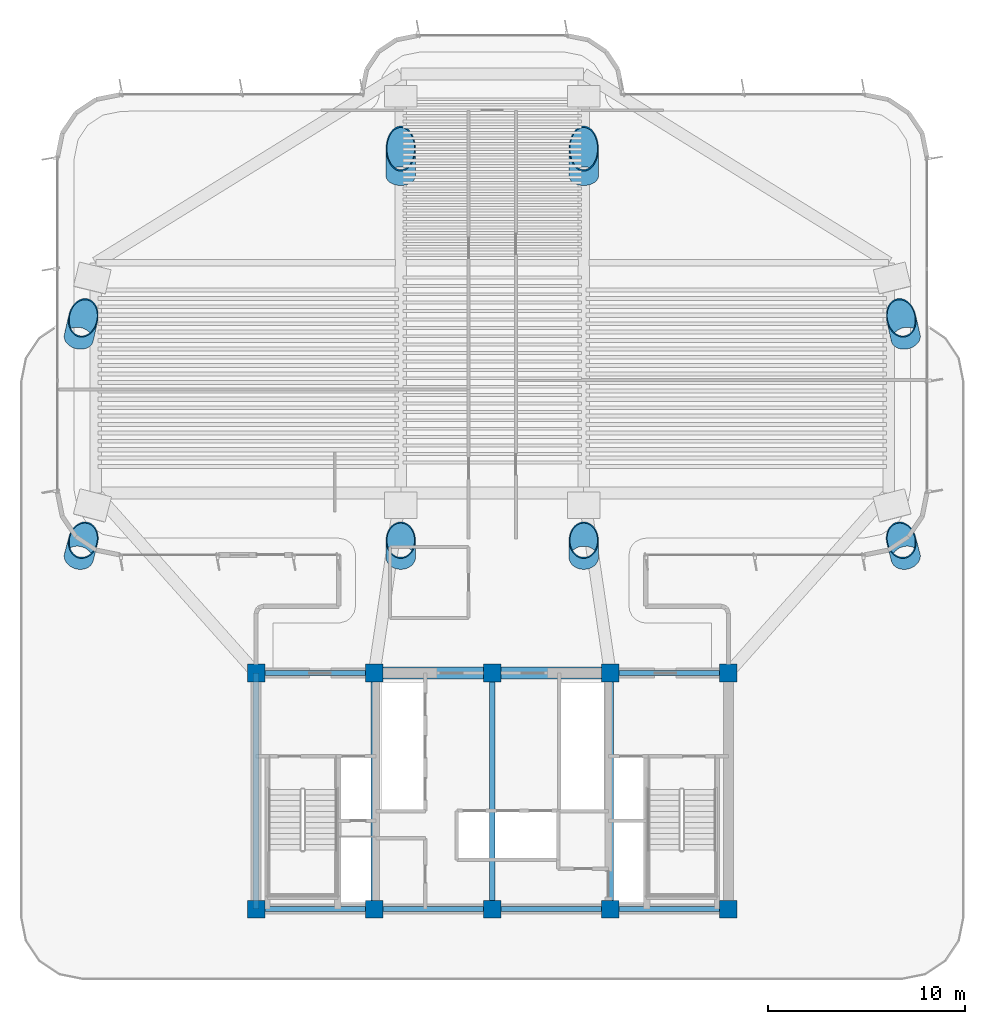
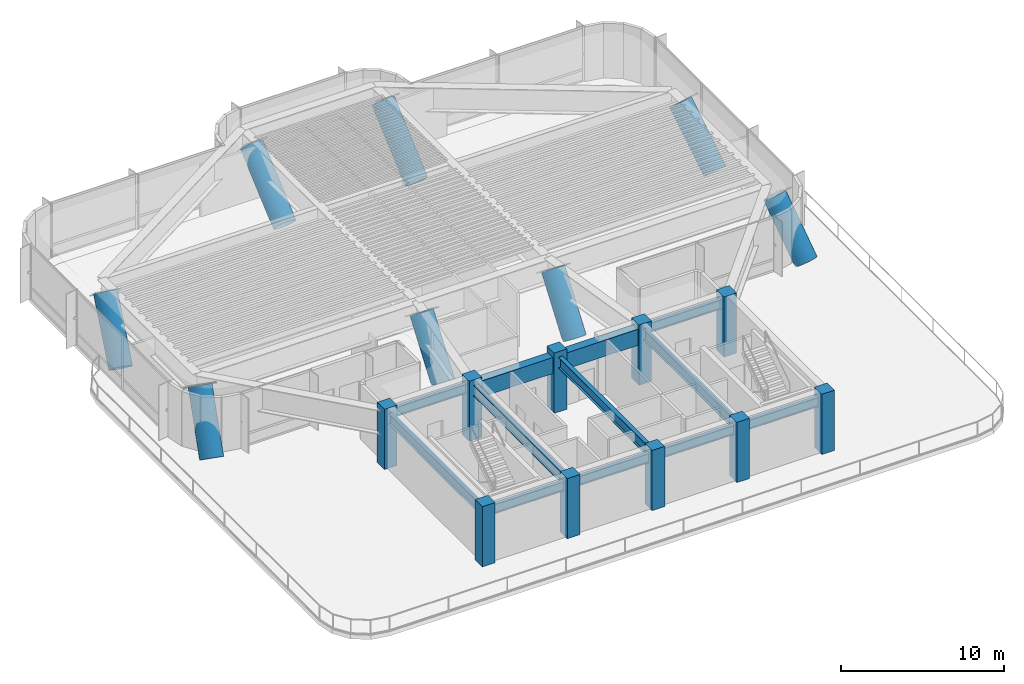
# One storey, part 1 of 14: 18 columns, 11 beams.
"""IFC4 building model written with IfcOpenShell, lengths in metres."""

from ifc_helpers import new_model, si_unit, direction, frame, origin, origin_2d, place, context, subcontext, project, spatial, rectangle, hollow_circle, i_section, extrude, source, transform, mapped, material, material_profile, profile_set, type_object, element, save


model = new_model("IFC4")

# Units and contexts
model_context = context("Model", 3, precision=1e-05, world=origin(), true_north=direction((0.0, 1.0)))
body_context = subcontext(model_context, "Body", "Model", "MODEL_VIEW")
ifc_project = project(units=[si_unit("LENGTHUNIT", "METRE"), si_unit("AREAUNIT", "SQUARE_METRE"), si_unit("VOLUMEUNIT", "CUBIC_METRE"), si_unit("PLANEANGLEUNIT", "RADIAN"), si_unit("MASSUNIT", "GRAM", prefix="KILO")], contexts=[model_context])

# Site, building, storey
site_placement = place(None, origin())
site = spatial("IfcSite", under=ifc_project, at=site_placement, CompositionType="ELEMENT")
building_placement = place(site_placement, origin())
building = spatial("IfcBuilding", under=site, at=building_placement, Name="Brelvock Crest Care Tower", CompositionType="ELEMENT")
storey_placement = place(building_placement, frame((0.0, 0.0, 85.320068359375)))
storey = spatial("IfcBuildingStorey", under=building, at=storey_placement, Name="L21", CompositionType="ELEMENT", Elevation=85.320068359375)

# Columns
ifc_material_1 = material(Name="Concrete S80 (80 MPa)", Category="concrete")
ifc_material_profile_1 = material_profile(ifc_material_1, rectangle(XDim=0.89990234375, YDim=0.89990234375, at=origin_2d()), Name="RC900x900")
ifc_profile_set_1 = profile_set([ifc_material_profile_1], Name="Concrete S80 (80 MPa)")
column_type_1 = type_object("IfcColumnType", Name="COL-RC2", PredefinedType="COLUMN", material=ifc_profile_set_1)
shared_shape_1 = source(origin(), body_context, "Body", "SweptSolid", [
    extrude(rectangle(XDim=0.89990234375, YDim=0.89990234375, at=origin_2d()), origin(), (0.0, 0.0, 1.0), 4.5),
])
for number, where, z_axis, x_axis, name in (
    (1, (24.0, 6.0, 0.0), (0.0, 0.0, 1.0), (1.0, 0.0, 0.0), "L21 Core Column CC-01"),
    (2, (30.0, 6.0, 0.0), (0.0, 0.0, 1.0), (1.0, 0.0, 0.0), "L21 Core Column CC-02"),
    (3, (36.0, 6.0, 0.0), (0.0, 0.0, 1.0), (1.0, 0.0, 0.0), "L21 Core Column CC-03"),
    (4, (42.0, 6.0, 0.0), (0.0, 0.0, 1.0), (1.0, 0.0, 0.0), "L21 Core Column CC-04"),
    (5, (48.0, 6.0, 0.0), (0.0, 0.0, 1.0), (1.0, 0.0, 0.0), "L21 Core Column CC-05"),
    (6, (24.0, 18.0, 0.0), (0.0, 0.0, 1.0), (1.0, 0.0, 0.0), "L21 Core Column CC-06"),
    (7, (30.0, 18.0, 0.0), (0.0, 0.0, 1.0), (1.0, 0.0, 0.0), "L21 Core Column CC-07"),
    (8, (36.0, 18.0, 0.0), (0.0, 0.0, 1.0), (1.0, 0.0, 0.0), "L21 Core Column CC-08"),
    (9, (42.0, 18.0, 0.0), (0.0, 0.0, 1.0), (1.0, 0.0, 0.0), "L21 Core Column CC-09"),
    (10, (48.0, 18.0, 0.0), (0.0, 0.0, 1.0), (1.0, 0.0, 0.0), "L21 Core Column CC-10"),
):
    element("IfcColumn", number, at=place(storey_placement, frame(where, z_axis=z_axis, x_axis=x_axis)), inside=storey, type_object=column_type_1, Name=name, PredefinedType="COLUMN", context=body_context, shape_type="MappedRepresentation", body=[
        mapped(shared_shape_1, transform((0.0, 0.0, 0.0), x_axis=(1.0, 0.0, 0.0), y_axis=(0.0, 1.0, 0.0), z_axis=(0.0, 0.0, 1.0), scale=1.0)),
    ])
ifc_material_2 = material(Name="Steel Grade 350", Category="steel")
ifc_material_profile_2 = material_profile(ifc_material_2, hollow_circle(Radius=0.75, WallThickness=0.050048828125, at=origin_2d()), Name="CFT1500x50")
ifc_profile_set_2 = profile_set([ifc_material_profile_2], Name="Steel Grade 350")
column_type_2 = type_object("IfcColumnType", Name="COL-MC1", PredefinedType="COLUMN", material=ifc_profile_set_2)
shared_shape_2 = source(origin(), body_context, "Body", "SweptSolid", [
    extrude(hollow_circle(Radius=0.75, WallThickness=0.050048828125, at=origin_2d()), origin(), (0.0, 0.0, 1.0), 4.532470703125),
])
for number, where, z_axis, x_axis, name in (
    (11, (14.986328125, 23.877197265625, 0.0), (0.153353359402, 0.581256094592, 0.799139599607), (-0.966914173201, 0.255101904467, 0.0), "L21 Raked Mega-Column M1"),
    (12, (57.013671875, 23.877197265625, 0.0), (-0.153353359402, 0.581256094592, 0.799139599607), (-0.966914173201, -0.255101904467, 0.0), "L21 Raked Mega-Column M3"),
):
    element("IfcColumn", number, at=place(storey_placement, frame(where, z_axis=z_axis, x_axis=x_axis)), inside=storey, type_object=column_type_2, Name=name, PredefinedType="COLUMN", context=body_context, shape_type="MappedRepresentation", body=[
        mapped(shared_shape_2, transform((0.0, 0.0, 0.0), x_axis=(1.0, 0.0, 0.0), y_axis=(0.0, 1.0, 0.0), z_axis=(0.0, 0.0, 1.0), scale=1.0)),
    ])
shared_shape_3 = source(origin(), body_context, "Body", "SweptSolid", [
    extrude(hollow_circle(Radius=0.75, WallThickness=0.050048828125, at=origin_2d()), origin(), (0.0, 0.0, 1.0), 4.74609375),
])
for number, where, z_axis, x_axis, name in (
    (13, (14.986328125, 35.03173828125, 0.0), (0.144802699262, 0.640166817875, 0.754465786884), (-0.975359457824, 0.220621685317, 0.0), "L21 Raked Mega-Column M2"),
    (14, (57.013671875, 35.03173828125, 0.0), (-0.144802699262, 0.640166817875, 0.754465786884), (-0.975359457824, -0.220621685317, 0.0), "L21 Raked Mega-Column M4"),
):
    element("IfcColumn", number, at=place(storey_placement, frame(where, z_axis=z_axis, x_axis=x_axis)), inside=storey, type_object=column_type_2, Name=name, PredefinedType="COLUMN", context=body_context, shape_type="MappedRepresentation", body=[
        mapped(shared_shape_3, transform((0.0, 0.0, 0.0), x_axis=(1.0, 0.0, 0.0), y_axis=(0.0, 1.0, 0.0), z_axis=(0.0, 0.0, 1.0), scale=1.0)),
    ])
shared_shape_4 = source(origin(), body_context, "Body", "SweptSolid", [
    extrude(hollow_circle(Radius=0.75, WallThickness=0.050048828125, at=origin_2d()), origin(), (0.0, 0.0, 1.0), 4.490966796875),
])
for number, where, z_axis, x_axis, name in (
    (15, (31.35009765625, 23.877197265625, 0.0), (0.0, 0.58821048592, 0.808707873248), (-1.0, 0.0, 0.0), "L21 Raked Mega-Column M5"),
    (16, (40.64990234375, 23.877197265625, 0.0), (0.0, 0.58821048592, 0.808707873248), (-1.0, 0.0, 0.0), "L21 Raked Mega-Column M6"),
):
    element("IfcColumn", number, at=place(storey_placement, frame(where, z_axis=z_axis, x_axis=x_axis)), inside=storey, type_object=column_type_2, Name=name, PredefinedType="COLUMN", context=body_context, shape_type="MappedRepresentation", body=[
        mapped(shared_shape_4, transform((0.0, 0.0, 0.0), x_axis=(1.0, 0.0, 0.0), y_axis=(0.0, 1.0, 0.0), z_axis=(0.0, 0.0, 1.0), scale=1.0)),
    ])
shared_shape_5 = source(origin(), body_context, "Body", "SweptSolid", [
    extrude(hollow_circle(Radius=0.75, WallThickness=0.050048828125, at=origin_2d()), origin(), (0.0, 0.0, 1.0), 5.347900390625),
])
for number, where, z_axis, x_axis, name in (
    (17, (31.35009765625, 43.268310546875, 0.0), (0.0, 0.75502895514, 0.655691449464), (-1.0, 0.0, 0.0), "L21 Raked Mega-Column M7"),
    (18, (40.64990234375, 43.268310546875, 0.0), (0.0, 0.75502895514, 0.655691449464), (-1.0, 0.0, 0.0), "L21 Raked Mega-Column M8"),
):
    element("IfcColumn", number, at=place(storey_placement, frame(where, z_axis=z_axis, x_axis=x_axis)), inside=storey, type_object=column_type_2, Name=name, PredefinedType="COLUMN", context=body_context, shape_type="MappedRepresentation", body=[
        mapped(shared_shape_5, transform((0.0, 0.0, 0.0), x_axis=(1.0, 0.0, 0.0), y_axis=(0.0, 1.0, 0.0), z_axis=(0.0, 0.0, 1.0), scale=1.0)),
    ])

# Beams
ifc_material_profile_3 = material_profile(ifc_material_1, rectangle(XDim=0.60009765625, YDim=1.199951171875, at=origin_2d()), Name="RC600x1200")
ifc_profile_set_3 = profile_set([ifc_material_profile_3], Name="Concrete S80 (80 MPa)")
beam_type_1 = type_object("IfcBeamType", Name="BM-LN1", PredefinedType="LINTEL", material=ifc_profile_set_3)
shared_shape_6 = source(origin(), body_context, "Body", "SweptSolid", [
    extrude(rectangle(XDim=0.60009765625, YDim=1.199951171875, at=origin_2d()), origin(), (0.0, 0.0, 1.0), 12.0),
])
beam_placement = place(storey_placement, frame((30.0, 18.0, 3.491943359375), z_axis=(1.0, 0.0, 0.0), x_axis=(0.0, 1.0, 0.0)))
element("IfcBeam", 19, at=beam_placement, inside=storey, type_object=beam_type_1, Name="L21 Core Coupling Lintel Beam", PredefinedType="LINTEL", context=body_context, shape_type="MappedRepresentation", body=[
    mapped(shared_shape_6, transform((0.0, 0.0, 0.0), x_axis=(1.0, 0.0, 0.0), y_axis=(0.0, 1.0, 0.0), z_axis=(0.0, 0.0, 1.0), scale=1.0)),
])
ifc_material_profile_4 = material_profile(ifc_material_2, i_section(OverallWidth=0.25, OverallDepth=0.699951171875, WebThickness=0.011962890625, FlangeThickness=0.02001953125, at=origin_2d()), Name="700WB150")
ifc_profile_set_4 = profile_set([ifc_material_profile_4], Name="Steel Grade 350")
beam_type_2 = type_object("IfcBeamType", Name="BM-G4", PredefinedType="BEAM", material=ifc_profile_set_4)
shared_shape_7 = source(origin(), body_context, "Body", "SweptSolid", [
    extrude(i_section(OverallWidth=0.25, OverallDepth=0.699951171875, WebThickness=0.011962890625, FlangeThickness=0.02001953125, at=origin_2d()), origin(), (0.0, 0.0, 1.0), 6.0),
])
for number, where, z_axis, x_axis, name in (
    (20, (24.0, 6.0, 3.741943359375), (1.0, 0.0, 0.0), (0.0, 1.0, 0.0), "BM-CORES-L21-1"),
    (21, (24.0, 18.0, 3.741943359375), (1.0, 0.0, 0.0), (0.0, 1.0, 0.0), "BM-COREN-L21-1"),
    (22, (30.0, 6.0, 3.741943359375), (1.0, 0.0, 0.0), (0.0, 1.0, 0.0), "BM-CORES-L21-2"),
    (23, (36.0, 6.0, 3.741943359375), (1.0, 0.0, 0.0), (0.0, 1.0, 0.0), "BM-CORES-L21-3"),
    (24, (42.0, 6.0, 3.741943359375), (1.0, 0.0, 0.0), (0.0, 1.0, 0.0), "BM-CORES-L21-4"),
    (25, (42.0, 18.0, 3.741943359375), (1.0, 0.0, 0.0), (0.0, 1.0, 0.0), "BM-COREN-L21-4"),
):
    element("IfcBeam", number, at=place(storey_placement, frame(where, z_axis=z_axis, x_axis=x_axis)), inside=storey, type_object=beam_type_2, Name=name, PredefinedType="BEAM", context=body_context, shape_type="MappedRepresentation", body=[
        mapped(shared_shape_7, transform((0.0, 0.0, 0.0), x_axis=(1.0, 0.0, 0.0), y_axis=(0.0, 1.0, 0.0), z_axis=(0.0, 0.0, 1.0), scale=1.0)),
    ])
ifc_material_profile_5 = material_profile(ifc_material_2, i_section(OverallWidth=0.300048828125, OverallDepth=0.800048828125, WebThickness=0.013916015625, FlangeThickness=0.02197265625, at=origin_2d()), Name="800WB192")
ifc_profile_set_5 = profile_set([ifc_material_profile_5], Name="Steel Grade 350")
beam_type_3 = type_object("IfcBeamType", Name="BM-G5", PredefinedType="BEAM", material=ifc_profile_set_5)
shared_shape_8 = source(origin(), body_context, "Body", "SweptSolid", [
    extrude(i_section(OverallWidth=0.300048828125, OverallDepth=0.800048828125, WebThickness=0.013916015625, FlangeThickness=0.02197265625, at=origin_2d()), origin(), (0.0, 0.0, 1.0), 12.0),
])
for number, where, z_axis, x_axis, name in (
    (26, (24.0, 6.0, 3.69189453125), (0.0, 1.0, 0.0), (-1.0, 0.0, 0.0), "BM-COREX-L21-1"),
    (27, (30.0, 6.0, 3.69189453125), (0.0, 1.0, 0.0), (-1.0, 0.0, 0.0), "BM-COREX-L21-2"),
    (28, (36.0, 6.0, 3.69189453125), (0.0, 1.0, 0.0), (-1.0, 0.0, 0.0), "BM-COREX-L21-3"),
    (29, (42.0, 6.0, 3.69189453125), (0.0, 1.0, 0.0), (-1.0, 0.0, 0.0), "BM-COREX-L21-4"),
):
    element("IfcBeam", number, at=place(storey_placement, frame(where, z_axis=z_axis, x_axis=x_axis)), inside=storey, type_object=beam_type_3, Name=name, PredefinedType="BEAM", context=body_context, shape_type="MappedRepresentation", body=[
        mapped(shared_shape_8, transform((0.0, 0.0, 0.0), x_axis=(1.0, 0.0, 0.0), y_axis=(0.0, 1.0, 0.0), z_axis=(0.0, 0.0, 1.0), scale=1.0)),
    ])

save(model, "model.ifc")
